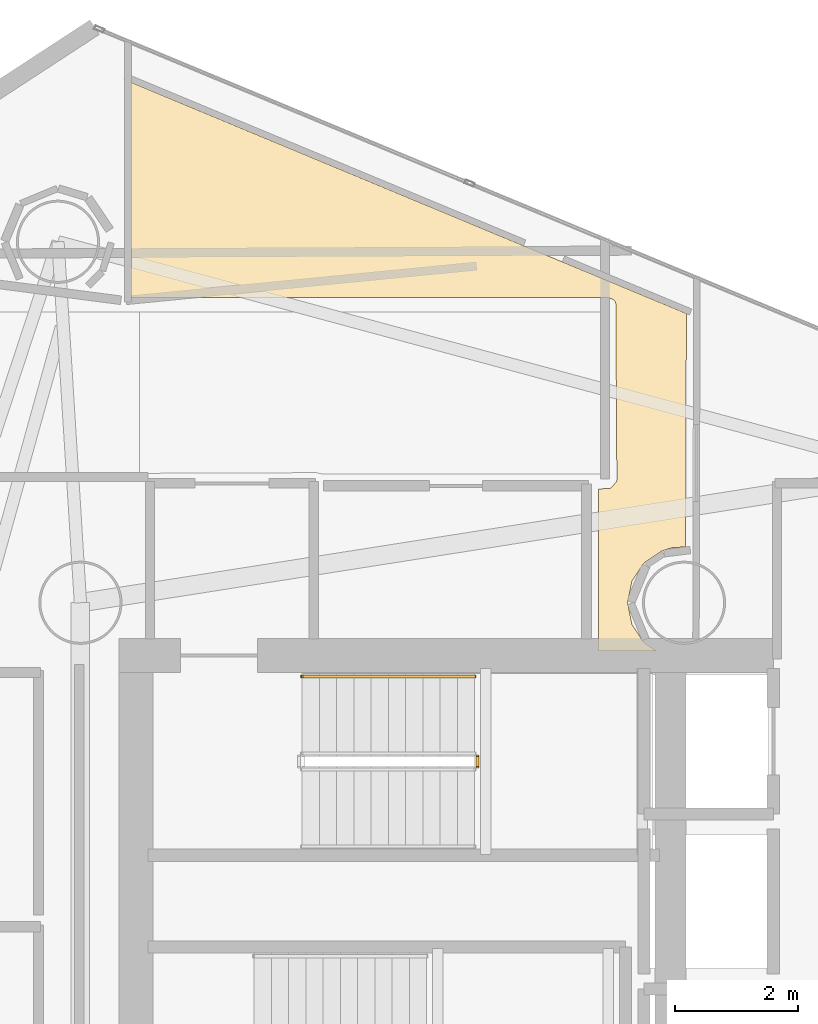
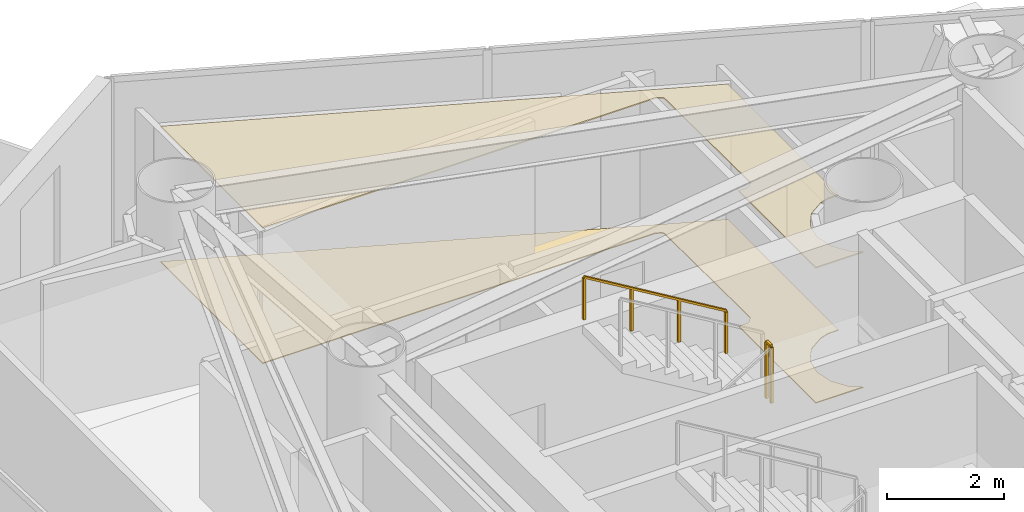
# One storey, part 23 of 23: 2 coverings, 2 railings.
"""IFC4 building model written with IfcOpenShell, lengths in metres."""

from ifc_helpers import new_model, si_unit, direction, frame, origin, origin_2d, place, context, subcontext, project, spatial, polyline, rectangle, outline, extrude, material, layer, layer_set, type_object, element, save


model = new_model("IFC4")

# Units and contexts
model_context = context("Model", 3, precision=1e-05, world=origin(), true_north=direction((0.0, 1.0)))
body_context = subcontext(model_context, "Body", "Model", "MODEL_VIEW")
ifc_project = project(units=[si_unit("LENGTHUNIT", "METRE"), si_unit("AREAUNIT", "SQUARE_METRE"), si_unit("VOLUMEUNIT", "CUBIC_METRE"), si_unit("PLANEANGLEUNIT", "RADIAN"), si_unit("MASSUNIT", "GRAM", prefix="KILO")], contexts=[model_context])

# Site, building, storey
site_placement = place(None, origin())
site = spatial("IfcSite", under=ifc_project, at=site_placement, CompositionType="ELEMENT")
building_placement = place(site_placement, origin())
building = spatial("IfcBuilding", under=site, at=building_placement, Name="Qianvela Tower", CompositionType="ELEMENT")
storey_placement = place(building_placement, frame((0.0, 0.0, 162.39990234375)))
storey = spatial("IfcBuildingStorey", under=building, at=storey_placement, Name="L41", CompositionType="ELEMENT", Elevation=162.39990234375)

# Coverings
ifc_material_1 = material(Name="Perforated Mineral Acoustic Ceiling Tile")
ifc_layer_1 = layer(ifc_material_1, 0.02490234375)
ifc_layer_set_1 = layer_set([ifc_layer_1], Name="Perforated Mineral Acoustic Ceiling Tile")
covering_type_1 = type_object("IfcCoveringType", Name="COV-CEIL-ACOUSTIC-25", PredefinedType="CEILING", material=ifc_layer_set_1)
covering_1_placement = place(storey_placement, frame((0.0, 0.0, 2.815185546875)))
element("IfcCovering", 1, at=covering_1_placement, inside=storey, type_object=covering_type_1, Name="L41 Acoustic Ceiling Quiet Reading Study L41-04", PredefinedType="CEILING", context=body_context, shape_type="SweptSolid", body=[
    extrude(outline(polyline([(37.94921875, 32.77001953125), (37.010009765625, 32.77001953125), (37.010009765625, 35.400390625), (37.166015625, 35.401611328125), (37.17431640625, 35.402099609375), (37.1826171875, 35.4033203125), (37.1904296875, 35.405517578125), (37.1982421875, 35.408447265625), (37.20556640625, 35.412353515625), (37.212646484375, 35.416748046875), (37.218994140625, 35.422119140625), (37.224853515625, 35.427734375), (37.288818359375, 35.498291015625), (37.293701171875, 35.504150390625), (37.2978515625, 35.51025390625), (37.301513671875, 35.516845703125), (37.30419921875, 35.523681640625), (37.306640625, 35.530517578125), (37.308349609375, 35.537841796875), (37.309326171875, 35.545166015625), (37.3095703125, 35.552734375), (37.291748046875, 38.4013671875), (37.29150390625, 38.409423828125), (37.2900390625, 38.41748046875), (37.2880859375, 38.42529296875), (37.28515625, 38.43310546875), (37.281494140625, 38.440185546875), (37.277099609375, 38.447021484375), (37.27197265625, 38.45361328125), (37.266357421875, 38.45947265625), (37.260009765625, 38.464599609375), (37.253173828125, 38.46923828125), (37.24609375, 38.47314453125), (37.18408203125, 38.502197265625), (37.176025390625, 38.505615234375), (37.16748046875, 38.508056640625), (37.15869140625, 38.509521484375), (37.14990234375, 38.510009765625), (29.422119140625, 38.510009765625), (29.422119140625, 41.998046875), (38.4384765625, 38.24609375), (38.426025390625, 34.452880859375), (38.2353515625, 34.448974609375), (38.22802734375, 34.448486328125), (38.220947265625, 34.447265625), (38.2138671875, 34.445556640625), (38.05712890625, 34.39794921875), (38.0498046875, 34.395263671875), (38.042724609375, 34.39208984375), (38.035888671875, 34.387939453125), (37.76513671875, 34.20703125), (37.7587890625, 34.202392578125), (37.7529296875, 34.197021484375), (37.747802734375, 34.191162109375), (37.742919921875, 34.184814453125), (37.56201171875, 33.9140625), (37.55810546875, 33.9072265625), (37.5546875, 33.900146484375), (37.552001953125, 33.892822265625), (37.550048828125, 33.885009765625), (37.486572265625, 33.565673828125), (37.4853515625, 33.557861328125), (37.485107421875, 33.550048828125), (37.4853515625, 33.542236328125), (37.486572265625, 33.534423828125), (37.550048828125, 33.21484375), (37.552001953125, 33.207275390625), (37.5546875, 33.19970703125), (37.55810546875, 33.192626953125), (37.56201171875, 33.18603515625), (37.742919921875, 32.9150390625), (37.747802734375, 32.90869140625), (37.7529296875, 32.903076171875), (37.7587890625, 32.897705078125), (37.76513671875, 32.89306640625), (37.94921875, 32.77001953125)])), origin(), (0.0, 0.0, 1.0), 0.02490234375),
])
ifc_material_2 = material(Name="Engineered Acoustic Oak Timber Flooring", Category="wood")
ifc_layer_2 = layer(ifc_material_2, 0.02001953125)
ifc_layer_set_2 = layer_set([ifc_layer_2], Name="Engineered Acoustic Oak Timber Flooring")
covering_type_2 = type_object("IfcCoveringType", Name="COV-FLOOR-OAK-20", PredefinedType="FLOORING", material=ifc_layer_set_2)
covering_2_placement = place(storey_placement, origin())
element("IfcCovering", 2, at=covering_2_placement, inside=storey, type_object=covering_type_2, Name="L41 Finish Flooring Quiet Reading Study L41-04", PredefinedType="FLOORING", context=body_context, shape_type="SweptSolid", body=[
    extrude(outline(polyline([(37.94921875, 32.77001953125), (37.010009765625, 32.77001953125), (37.010009765625, 35.400390625), (37.166015625, 35.401611328125), (37.17431640625, 35.402099609375), (37.1826171875, 35.4033203125), (37.1904296875, 35.405517578125), (37.1982421875, 35.408447265625), (37.20556640625, 35.412353515625), (37.212646484375, 35.416748046875), (37.218994140625, 35.422119140625), (37.224853515625, 35.427734375), (37.288818359375, 35.498291015625), (37.293701171875, 35.504150390625), (37.2978515625, 35.51025390625), (37.301513671875, 35.516845703125), (37.30419921875, 35.523681640625), (37.306640625, 35.530517578125), (37.308349609375, 35.537841796875), (37.309326171875, 35.545166015625), (37.3095703125, 35.552734375), (37.291748046875, 38.4013671875), (37.29150390625, 38.409423828125), (37.2900390625, 38.41748046875), (37.2880859375, 38.42529296875), (37.28515625, 38.43310546875), (37.281494140625, 38.440185546875), (37.277099609375, 38.447021484375), (37.27197265625, 38.45361328125), (37.266357421875, 38.45947265625), (37.260009765625, 38.464599609375), (37.253173828125, 38.46923828125), (37.24609375, 38.47314453125), (37.18408203125, 38.502197265625), (37.176025390625, 38.505615234375), (37.16748046875, 38.508056640625), (37.15869140625, 38.509521484375), (37.14990234375, 38.510009765625), (29.422119140625, 38.510009765625), (29.422119140625, 41.998046875), (38.4384765625, 38.24609375), (38.426025390625, 34.452880859375), (38.2353515625, 34.448974609375), (38.22802734375, 34.448486328125), (38.220947265625, 34.447265625), (38.2138671875, 34.445556640625), (38.05712890625, 34.39794921875), (38.0498046875, 34.395263671875), (38.042724609375, 34.39208984375), (38.035888671875, 34.387939453125), (37.76513671875, 34.20703125), (37.7587890625, 34.202392578125), (37.7529296875, 34.197021484375), (37.747802734375, 34.191162109375), (37.742919921875, 34.184814453125), (37.56201171875, 33.9140625), (37.55810546875, 33.9072265625), (37.5546875, 33.900146484375), (37.552001953125, 33.892822265625), (37.550048828125, 33.885009765625), (37.486572265625, 33.565673828125), (37.4853515625, 33.557861328125), (37.485107421875, 33.550048828125), (37.4853515625, 33.542236328125), (37.486572265625, 33.534423828125), (37.550048828125, 33.21484375), (37.552001953125, 33.207275390625), (37.5546875, 33.19970703125), (37.55810546875, 33.192626953125), (37.56201171875, 33.18603515625), (37.742919921875, 32.9150390625), (37.747802734375, 32.90869140625), (37.7529296875, 32.903076171875), (37.7587890625, 32.897705078125), (37.76513671875, 32.89306640625), (37.94921875, 32.77001953125)])), origin(), (0.0, 0.0, 1.0), 0.02001953125),
])

# Railings
ifc_material_3 = material(Name="Painted Tubular Steel Q355B", Category="steel")
railing_type_1 = type_object("IfcRailingType", Name="RL-STAIR-GUARD-1200", PredefinedType="GUARDRAIL", material=ifc_material_3)
railing_1_placement = place(storey_placement, frame((35.050048828125, 30.889892578125, 1.85009765625)))
element("IfcRailing", 3, at=railing_1_placement, inside=storey, type_object=railing_type_1, Name="L41 ST-1 stair guard 2", PredefinedType="GUARDRAIL", context=body_context, shape_type="SweptSolid", body=[
    extrude(rectangle(XDim=0.050048828125, YDim=0.0400390625, at=origin_2d()), frame((0.0, 0.0, 1.179931640625), z_axis=(0.0, 1.0, 0.0), x_axis=(-1.0, 0.0, 0.0)), (0.0, 0.0, 1.0), 0.16015625),
    extrude(rectangle(XDim=0.050048828125, YDim=0.050048828125, at=origin_2d()), origin(), (0.0, 0.0, 1.0), 1.159912109375),
    extrude(rectangle(XDim=0.050048828125, YDim=0.050048828125, at=origin_2d()), frame((0.0, 0.16015625, 0.0)), (0.0, 0.0, 1.0), 1.159912109375),
])
ifc_material_4 = material(Name="Brushed Stainless Steel 304", Category="steel")
railing_type_2 = type_object("IfcRailingType", Name="RL-STAIR-HANDRAIL-900", PredefinedType="HANDRAIL", material=ifc_material_4)
railing_2_placement = place(storey_placement, frame((35.0, 32.35009765625, 2.018310546875)))
element("IfcRailing", 4, at=railing_2_placement, inside=storey, type_object=railing_type_2, Name="L41 ST-1 stair handrail 2", PredefinedType="HANDRAIL", context=body_context, shape_type="SweptSolid", body=[
    extrude(rectangle(XDim=0.050048828125, YDim=0.0400390625, at=origin_2d()), frame((0.0, 0.0, 0.8798828125), z_axis=(-0.857242210791, 0.0, 0.514913383045), x_axis=(0.0, -1.0, 0.0)), (0.0, 0.0, 1.0), 3.266357421875),
    extrude(rectangle(XDim=0.050048828125, YDim=0.050048828125, at=origin_2d()), origin(), (0.0, 0.0, 1.0), 0.85986328125),
    extrude(rectangle(XDim=0.050048828125, YDim=0.050048828125, at=origin_2d()), frame((-0.933349609375, 0.0, 0.560546875)), (0.0, 0.0, 1.0), 0.85986328125),
    extrude(rectangle(XDim=0.050048828125, YDim=0.050048828125, at=origin_2d()), frame((-1.86669921875, 0.0, 1.121337890625)), (0.0, 0.0, 1.0), 0.85986328125),
    extrude(rectangle(XDim=0.050048828125, YDim=0.050048828125, at=origin_2d()), frame((-2.800048828125, 0.0, 1.681884765625)), (0.0, 0.0, 1.0), 0.85986328125),
])

save(model, "model.ifc")
